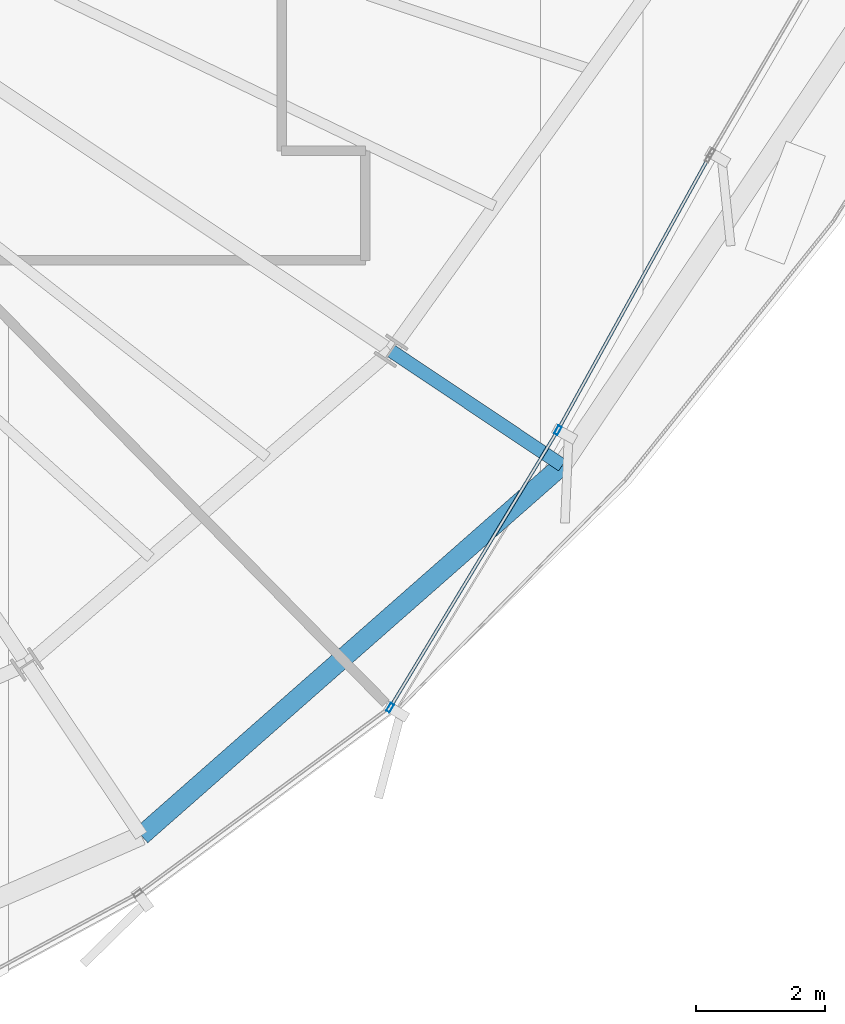
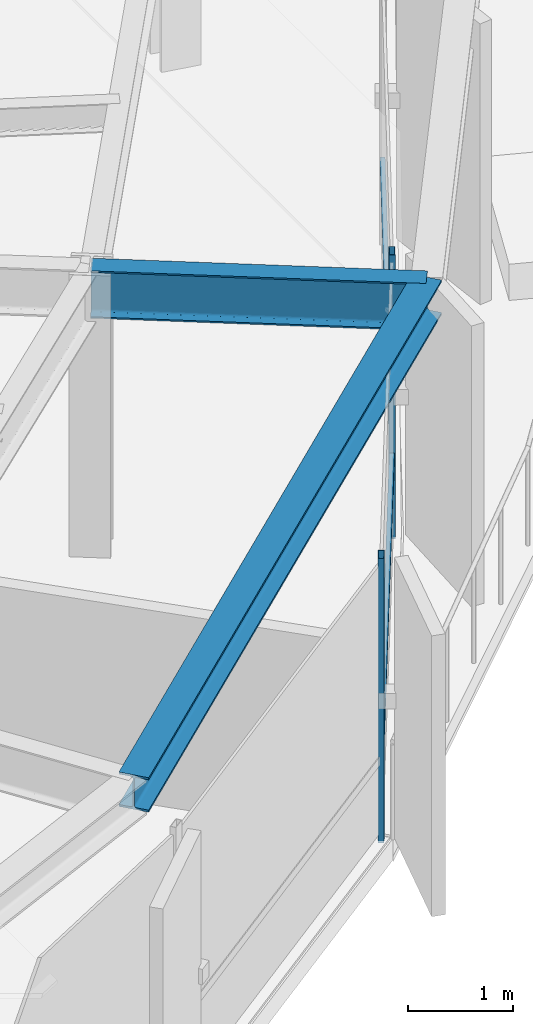
# One storey, part 15 of 36: 4 members, 2 beams, 1 element without a shape of its own.
"""IFC4 building model written with IfcOpenShell, lengths in metres."""

from ifc_helpers import new_model, si_unit, direction, frame, origin, origin_2d, place, context, subcontext, project, spatial, hollow_rectangle, i_section, extrude, source, transform, mapped, material, layer, layer_set, material_profile, profile_set, type_object, element, aggregate, save


model = new_model("IFC4")

# Units and contexts
model_context = context("Model", 3, precision=1e-05, world=origin(), true_north=direction((0.0, 1.0)))
body_context = subcontext(model_context, "Body", "Model", "MODEL_VIEW")
ifc_project = project(units=[si_unit("LENGTHUNIT", "METRE"), si_unit("AREAUNIT", "SQUARE_METRE"), si_unit("VOLUMEUNIT", "CUBIC_METRE"), si_unit("PLANEANGLEUNIT", "RADIAN"), si_unit("MASSUNIT", "GRAM", prefix="KILO"), si_unit("THERMODYNAMICTEMPERATUREUNIT", "KELVIN")], contexts=[model_context])

# Site, building, storey
site_placement = place(None, origin())
site = spatial("IfcSite", under=ifc_project, at=site_placement, CompositionType="ELEMENT")
building_placement = place(site_placement, origin())
building = spatial("IfcBuilding", under=site, at=building_placement, Name="Kethvar Cultural Tower", CompositionType="ELEMENT")
storey_placement = place(building_placement, frame((0.0, 0.0, 164.300048828125)))
storey = spatial("IfcBuildingStorey", under=building, at=storey_placement, Name="L42", CompositionType="ELEMENT", Elevation=164.300048828125)

# Beams
ifc_material_1 = material(Name="Steel S355J2", Category="steel")
ifc_material_profile_1 = material_profile(ifc_material_1, i_section(OverallWidth=0.2099609375, OverallDepth=0.550048828125, WebThickness=0.010986328125, FlangeThickness=0.01708984375, FilletRadius=0.02392578125, at=origin_2d()), Name="Steel S355J2 — IPE550")
ifc_profile_set_1 = profile_set([ifc_material_profile_1], Name="Steel S355J2 — IPE550")
beam_type_1 = type_object("IfcBeamType", Name="BM-IPE550", PredefinedType="BEAM", material=ifc_profile_set_1)
shared_shape_1 = source(origin(), body_context, "Body", "SweptSolid", [
    extrude(i_section(OverallWidth=0.2099609375, OverallDepth=0.550048828125, WebThickness=0.010986328125, FlangeThickness=0.01708984375, FilletRadius=0.02392578125, at=origin_2d()), origin(), (0.0, 0.0, 1.0), 3.199951171875),
])
beam_1_placement = place(storey_placement, frame((62.898681640625, 17.043212890625, 3.02294921875), z_axis=(0.831462943996, -0.555580212716, 0.0), x_axis=(0.555580212716, 0.831462943996, 0.0)))
element("IfcBeam", 1, at=beam_1_placement, inside=storey, type_object=beam_type_1, Name="L42 Perimeter Cantilever Beam RC-15", PredefinedType="BEAM", context=body_context, shape_type="MappedRepresentation", body=[
    mapped(shared_shape_1, transform((0.0, 0.0, 0.0), scale=1.0)),
])
ifc_material_profile_2 = material_profile(ifc_material_1, i_section(OverallWidth=0.300048828125, OverallDepth=0.39990234375, WebThickness=0.013427734375, FlangeThickness=0.02392578125, FilletRadius=0.027099609375, at=origin_2d()), Name="Steel S355J2 — HEB400")
ifc_profile_set_2 = profile_set([ifc_material_profile_2], Name="Steel S355J2 — HEB400")
beam_type_2 = type_object("IfcBeamType", Name="BM-SP400", PredefinedType="SPANDREL", material=ifc_profile_set_2)
shared_shape_2 = source(origin(), body_context, "Body", "SweptSolid", [
    extrude(i_section(OverallWidth=0.300048828125, OverallDepth=0.39990234375, WebThickness=0.013427734375, FlangeThickness=0.02392578125, FilletRadius=0.027099609375, at=origin_2d()), origin(), (0.0, 0.0, 1.0), 8.71044921875),
])
beam_2_placement = place(storey_placement, frame((59.019775390625, 9.51171875, 3.097900390625), z_axis=(0.75077856833, 0.660553965498, 0.0), x_axis=(-0.660553965498, 0.75077856833, 0.0)))
element("IfcBeam", 2, at=beam_2_placement, inside=storey, type_object=beam_type_2, Name="L42 Perimeter Spandrel Beam SP-14", PredefinedType="SPANDREL", context=body_context, shape_type="MappedRepresentation", body=[
    mapped(shared_shape_2, transform((0.0, 0.0, 0.0), scale=1.0)),
])

# Curtain wall, members
ifc_material_2 = material(Name="Aluminium 6063-T6", Category="aluminium")
ifc_layer = layer(ifc_material_2, 0.179931640625, Name="Aluminium 6063-T6", Category="aluminium")
ifc_layer_set = layer_set([ifc_layer], Name="Aluminium 6063-T6 (180 mm)")
curtain_wall_type = type_object("IfcCurtainWallType", Name="CW-SYS-04-Z34", PredefinedType="NOTDEFINED", material=ifc_layer_set)
curtain_wall_placement = place(storey_placement, origin())
curtain_wall = element("IfcCurtainWall", 3, at=curtain_wall_placement, inside=storey, type_object=curtain_wall_type, Name="L42 Curtain Wall Run 05", PredefinedType="NOTDEFINED")
ifc_material_profile_3 = material_profile(ifc_material_2, hollow_rectangle(XDim=0.06005859375, YDim=0.139892578125, WallThickness=0.0048828125, at=origin_2d()), Name="Aluminium 6063-T6 — RHS140x60x5")
ifc_profile_set_3 = profile_set([ifc_material_profile_3], Name="Aluminium 6063-T6 — RHS140x60x5")
member_type_1 = type_object("IfcMemberType", Name="CW-SYS-04-Z34-MUL", PredefinedType="MULLION", material=ifc_profile_set_3)
shared_shape_3 = source(origin(), body_context, "Body", "SweptSolid", [
    extrude(hollow_rectangle(XDim=0.06005859375, YDim=0.139892578125, WallThickness=0.0048828125, at=origin_2d()), origin(), (0.0, 0.0, 1.0), 3.300048828125),
])
member_1_placement = place(storey_placement, frame((62.884521484375, 11.499755859375, 0.0), z_axis=(0.0, 0.0, 1.0), x_axis=(-0.855671512955, 0.517519334825, 0.0)))
member_1 = element("IfcMember", 4, at=member_1_placement, type_object=member_type_1, Name="CW-L42-R05 Mullion 5", PredefinedType="MULLION", context=body_context, shape_type="MappedRepresentation", body=[
    mapped(shared_shape_3, transform((0.0, 0.0, 0.0), scale=1.0)),
])
member_2_placement = place(storey_placement, frame((65.491455078125, 15.809814453125, 0.0), z_axis=(0.0, 0.0, 1.0), x_axis=(-0.87512691893, 0.483893454972, 0.0)))
member_2 = element("IfcMember", 5, at=member_2_placement, type_object=member_type_1, Name="CW-L42-R05 Mullion 6", PredefinedType="MULLION", context=body_context, shape_type="MappedRepresentation", body=[
    mapped(shared_shape_3, transform((0.0, 0.0, 0.0), scale=1.0)),
])
ifc_material_profile_4 = material_profile(ifc_material_2, hollow_rectangle(XDim=0.050048828125, YDim=0.10009765625, WallThickness=0.00390625, at=origin_2d()), Name="Aluminium 6063-T6 — RHS100x50x4")
ifc_profile_set_4 = profile_set([ifc_material_profile_4], Name="Aluminium 6063-T6 — RHS100x50x4")
member_type_2 = type_object("IfcMemberType", Name="CW-SYS-04-Z34-TRN", PredefinedType="USERDEFINED", material=ifc_profile_set_4)
shared_shape_4 = source(origin(), body_context, "Body", "SweptSolid", [
    extrude(hollow_rectangle(XDim=0.050048828125, YDim=0.10009765625, WallThickness=0.00390625, at=origin_2d()), origin(), (0.0, 0.0, 1.0), 4.954833984375),
])
member_3_placement = place(storey_placement, frame((62.906982421875, 11.536865234375, 0.949951171875), z_axis=(0.517514154517, 0.855674646039, 0.0), x_axis=(-0.855674646039, 0.517514154517, 0.0)))
member_3 = element("IfcMember", 6, at=member_3_placement, type_object=member_type_2, Name="CW-L42-R05 Transom 5", ObjectType="TRANSOM", PredefinedType="USERDEFINED", context=body_context, shape_type="MappedRepresentation", body=[
    mapped(shared_shape_4, transform((0.0, 0.0, 0.0), scale=1.0)),
])
shared_shape_5 = source(origin(), body_context, "Body", "SweptSolid", [
    extrude(hollow_rectangle(XDim=0.050048828125, YDim=0.10009765625, WallThickness=0.00390625, at=origin_2d()), origin(), (0.0, 0.0, 1.0), 4.79150390625),
])
member_4_placement = place(storey_placement, frame((65.51220703125, 15.84765625, 0.949951171875), z_axis=(0.483902830549, 0.875121734724, 0.0), x_axis=(-0.875121734724, 0.483902830549, 0.0)))
member_4 = element("IfcMember", 7, at=member_4_placement, type_object=member_type_2, Name="CW-L42-R05 Transom 6", ObjectType="TRANSOM", PredefinedType="USERDEFINED", context=body_context, shape_type="MappedRepresentation", body=[
    mapped(shared_shape_5, transform((0.0, 0.0, 0.0), scale=1.0)),
])
aggregate(curtain_wall, [member_1, member_2, member_3, member_4])

save(model, "model.ifc")
